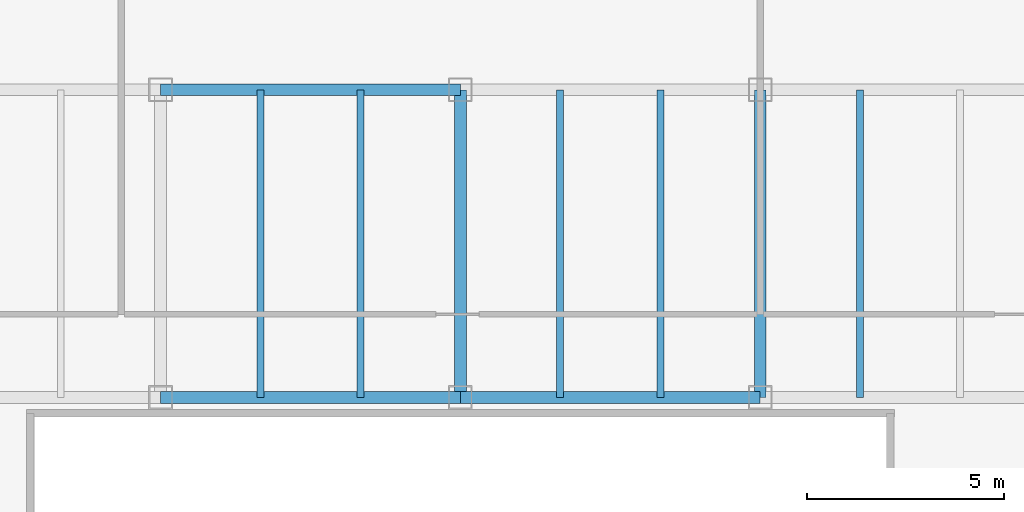
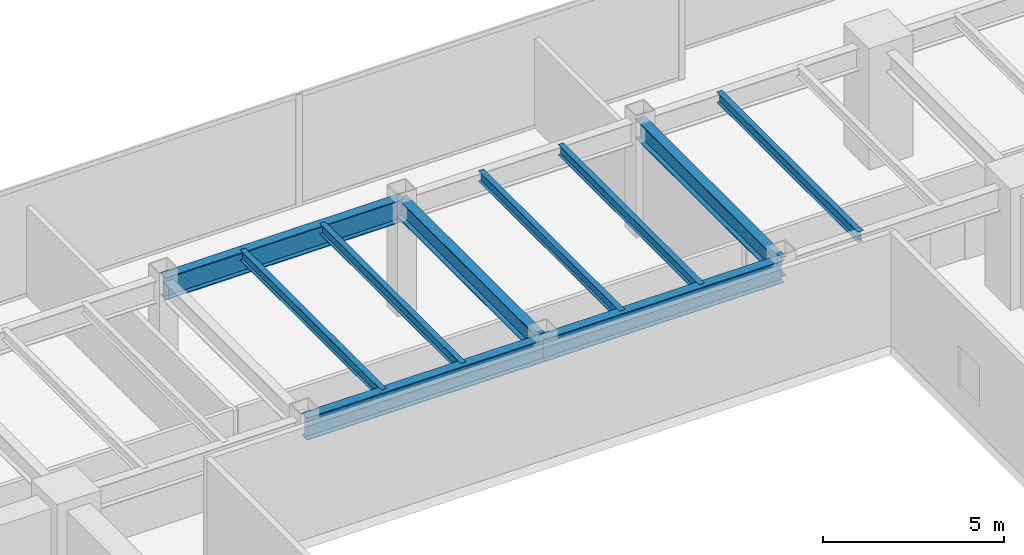
# One storey, part 17 of 35: 10 beams.
"""IFC4 building model written with IfcOpenShell, lengths in metres."""

from ifc_helpers import new_model, si_unit, direction, frame, origin, origin_2d, place, context, subcontext, project, spatial, i_section, extrude, source, transform, mapped, material, material_profile, profile_set, type_object, type_shapes, element, save


model = new_model("IFC4")

# Units and contexts
model_context = context("Model", 3, precision=1e-05, world=origin(), true_north=direction((0.0, 1.0)))
body_context = subcontext(model_context, "Body", "Model", "MODEL_VIEW")
ifc_project = project(units=[si_unit("LENGTHUNIT", "METRE"), si_unit("AREAUNIT", "SQUARE_METRE"), si_unit("VOLUMEUNIT", "CUBIC_METRE"), si_unit("PLANEANGLEUNIT", "RADIAN"), si_unit("MASSUNIT", "GRAM", prefix="KILO")], contexts=[model_context])

# Site, building, storey
site_placement = place(None, origin())
site = spatial("IfcSite", under=ifc_project, at=site_placement, CompositionType="ELEMENT")
building_placement = place(site_placement, origin())
building = spatial("IfcBuilding", under=site, at=building_placement, Name="Haelvirn Gate Laboratories", CompositionType="ELEMENT")
storey_placement = place(building_placement, frame((0.0, 0.0, 70.300048828125)))
storey = spatial("IfcBuildingStorey", under=building, at=storey_placement, Name="L17", CompositionType="ELEMENT", Elevation=70.300048828125)

# Beams
ifc_material = material(Name="Steel SM355", Category="steel")
ifc_material_profile_1 = material_profile(ifc_material, i_section(OverallWidth=0.300048828125, OverallDepth=0.75, WebThickness=0.013916015625, FlangeThickness=0.02392578125, at=origin_2d()), Name="H-750x300x14x24")
ifc_profile_set_1 = profile_set([ifc_material_profile_1], Name="Steel SM355")
beam_type_1 = type_object("IfcBeamType", Name="BM-G-750", PredefinedType="BEAM", material=ifc_profile_set_1)
shared_shape_1 = source(origin(), body_context, "Body", "SweptSolid", [
    extrude(i_section(OverallWidth=0.300048828125, OverallDepth=0.75, WebThickness=0.013916015625, FlangeThickness=0.02392578125, at=origin_2d()), origin(), (0.0, 0.0, 1.0), 7.60009765625),
])
beam_placement = place(storey_placement, frame((37.39990234375, 33.800048828125, 3.405029296875), z_axis=(1.0, 0.0, 0.0), x_axis=(0.0, 1.0, 0.0)))
element("IfcBeam", 1, at=beam_placement, inside=storey, type_object=beam_type_1, Name="L17 Primary Girder Y33.8 (37.4-45.0)", PredefinedType="BEAM", context=body_context, shape_type="MappedRepresentation", body=[
    mapped(shared_shape_1, transform((0.0, 0.0, 0.0), scale=1.0)),
])
shared_shape_2 = source(origin(), body_context, "Body", "SweptSolid", [
    extrude(i_section(OverallWidth=0.300048828125, OverallDepth=0.75, WebThickness=0.013916015625, FlangeThickness=0.02392578125, at=origin_2d()), origin(), (0.0, 0.0, 1.0), 7.599853515625),
])
type_shapes(beam_type_1, [shared_shape_1, shared_shape_2])
for number, where, z_axis, x_axis, name in (
    (2, (29.800048828125, 33.800048828125, 3.405029296875), (1.0, 0.0, 0.0), (0.0, 1.0, 0.0), "L17 Primary Girder Y33.8 (29.8-37.4)"),
    (3, (29.800048828125, 41.60009765625, 3.405029296875), (1.0, 0.0, 0.0), (0.0, 1.0, 0.0), "L17 Primary Girder Y41.6 (29.8-37.4)"),
):
    element("IfcBeam", number, at=place(storey_placement, frame(where, z_axis=z_axis, x_axis=x_axis)), inside=storey, type_object=beam_type_1, Name=name, PredefinedType="BEAM", context=body_context, shape_type="MappedRepresentation", body=[
        mapped(shared_shape_2, transform((0.0, 0.0, 0.0), scale=1.0)),
    ])
ifc_material_profile_2 = material_profile(ifc_material, i_section(OverallWidth=0.175048828125, OverallDepth=0.35009765625, WebThickness=0.007080078125, FlangeThickness=0.010986328125, at=origin_2d()), Name="H-350x175x7x11")
ifc_profile_set_2 = profile_set([ifc_material_profile_2], Name="Steel SM355")
beam_type_2 = type_object("IfcBeamType", Name="BM-J-350", PredefinedType="JOIST", material=ifc_profile_set_2)
shared_shape_3 = source(origin(), body_context, "Body", "SweptSolid", [
    extrude(i_section(OverallWidth=0.175048828125, OverallDepth=0.35009765625, WebThickness=0.007080078125, FlangeThickness=0.010986328125, at=origin_2d()), origin(), (0.0, 0.0, 1.0), 7.800048828125),
])
type_shapes(beam_type_2, [shared_shape_3])
for number, where, z_axis, x_axis, name in (
    (4, (32.330078125, 33.800048828125, 3.60498046875), (0.0, 1.0, 0.0), (-1.0, 0.0, 0.0), "L17 Composite Lab Joist North X32.33"),
    (5, (34.8701171875, 33.800048828125, 3.60498046875), (0.0, 1.0, 0.0), (-1.0, 0.0, 0.0), "L17 Composite Lab Joist North X34.87"),
    (6, (39.929931640625, 33.800048828125, 3.60498046875), (0.0, 1.0, 0.0), (-1.0, 0.0, 0.0), "L17 Composite Lab Joist North X39.93"),
    (7, (42.469970703125, 33.800048828125, 3.60498046875), (0.0, 1.0, 0.0), (-1.0, 0.0, 0.0), "L17 Composite Lab Joist North X42.47"),
    (8, (47.530029296875, 33.800048828125, 3.60498046875), (0.0, 1.0, 0.0), (-1.0, 0.0, 0.0), "L17 Composite Lab Joist North X47.53"),
):
    element("IfcBeam", number, at=place(storey_placement, frame(where, z_axis=z_axis, x_axis=x_axis)), inside=storey, type_object=beam_type_2, Name=name, PredefinedType="JOIST", context=body_context, shape_type="MappedRepresentation", body=[
        mapped(shared_shape_3, transform((0.0, 0.0, 0.0), scale=1.0)),
    ])
ifc_material_profile_3 = material_profile(ifc_material, i_section(OverallWidth=0.300048828125, OverallDepth=0.64990234375, WebThickness=0.012939453125, FlangeThickness=0.02197265625, at=origin_2d()), Name="H-650x300x13x22")
ifc_profile_set_3 = profile_set([ifc_material_profile_3], Name="Steel SM355")
beam_type_3 = type_object("IfcBeamType", Name="BM-G-650", PredefinedType="BEAM", material=ifc_profile_set_3)
shared_shape_4 = source(origin(), body_context, "Body", "SweptSolid", [
    extrude(i_section(OverallWidth=0.300048828125, OverallDepth=0.64990234375, WebThickness=0.012939453125, FlangeThickness=0.02197265625, at=origin_2d()), origin(), (0.0, 0.0, 1.0), 7.800048828125),
])
type_shapes(beam_type_3, [shared_shape_4])
for number, where, z_axis, x_axis, name in (
    (9, (37.39990234375, 33.800048828125, 3.454833984375), (0.0, 1.0, 0.0), (-1.0, 0.0, 0.0), "L17 Frame Girder X37.4 (33.8-41.6)"),
    (10, (45.0, 33.800048828125, 3.454833984375), (0.0, 1.0, 0.0), (-1.0, 0.0, 0.0), "L17 Frame Girder X45.0 (33.8-41.6)"),
):
    element("IfcBeam", number, at=place(storey_placement, frame(where, z_axis=z_axis, x_axis=x_axis)), inside=storey, type_object=beam_type_3, Name=name, PredefinedType="BEAM", context=body_context, shape_type="MappedRepresentation", body=[
        mapped(shared_shape_4, transform((0.0, 0.0, 0.0), scale=1.0)),
    ])

save(model, "model.ifc")
